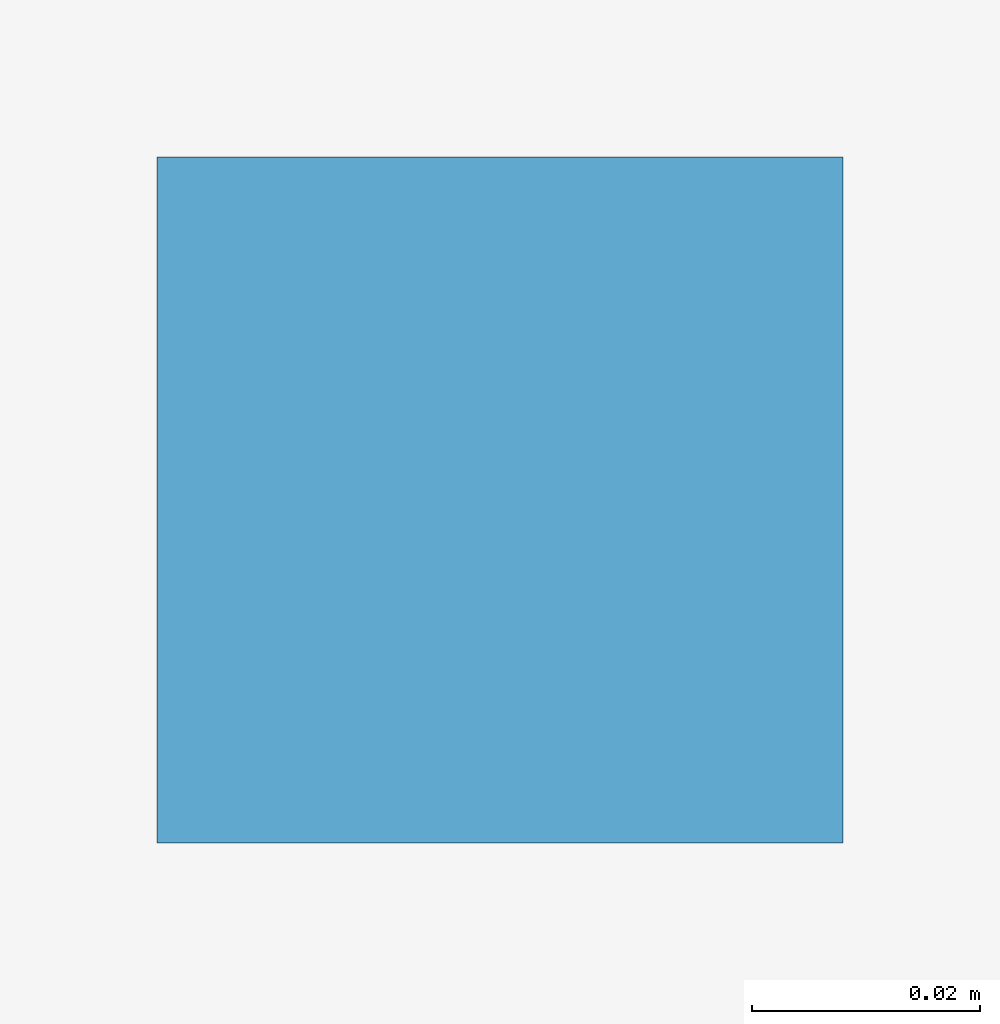
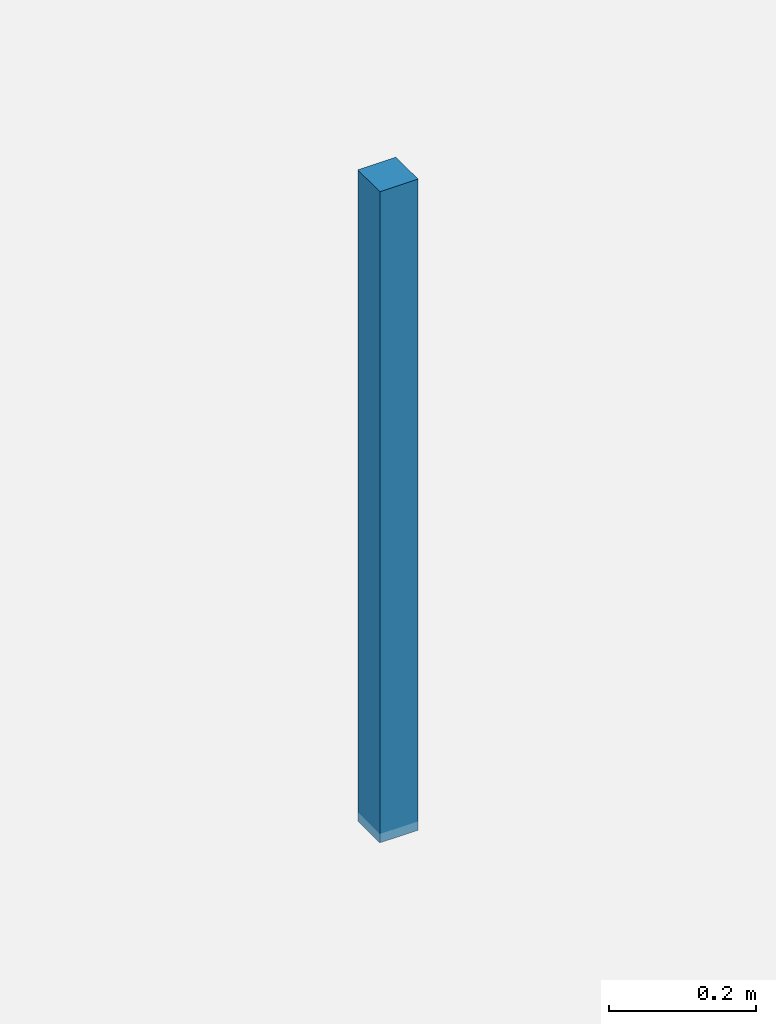
# One storey, part 96 of 107: 1 discrete accessory.
"""IFC4 building model written with IfcOpenShell, lengths in metres."""

import ifcopenshell
import ifcopenshell.guid

model = None  # the IFC model being written
_history = None  # IfcOwnerHistory: only IFC2X3 demands one
_inside = {}  # id of a spatial element -> (the spatial element, [elements in it])
_under = {}  # id of a project, library or spatial element -> (it, [spatial elements below it])
_declared = {}  # id of a project -> (the project, [libraries it declares])
_typed = {}  # id of a type object -> (the type object, [elements of that type])
_made_of = {}  # id of a material, layer set ... -> (it, [elements and type objects made of it])


def new_model(schema):
    """Start an empty IFC model of exactly this schema.

    Asked for "IFC4X3", IfcOpenShell would pick the latest addendum, in which some entities
    have other attributes; the version numbers below select the first issue.
    IFC2X3 requires an IfcOwnerHistory on every rooted entity: one is made here for all.
    """
    global model, _history
    if schema == "IFC4X3":
        model = ifcopenshell.file(schema_version=(4, 3, 0, 0))
    else:
        model = ifcopenshell.file(schema=schema)
    _inside.clear()
    _under.clear()
    _declared.clear()
    _typed.clear()
    _made_of.clear()
    _history = None
    if model.schema == "IFC2X3":
        org = make("IfcOrganization", Name="unknown")
        user = make(
            "IfcPersonAndOrganization",
            ThePerson=make("IfcPerson", FamilyName="unknown"),
            TheOrganization=org,
        )
        app = make(
            "IfcApplication",
            ApplicationDeveloper=org,
            Version="unknown",
            ApplicationFullName="unknown",
            ApplicationIdentifier="unknown",
        )
        _history = make(
            "IfcOwnerHistory",
            OwningUser=user,
            OwningApplication=app,
            ChangeAction="ADDED",
            CreationDate=0,
        )
    return model


def make(cls, **values):
    """One entity of the class cls with the attributes given. An attribute that is None is left unset."""
    return model.create_entity(
        cls, **{name: value for name, value in values.items() if value is not None}
    )


def rooted(cls, **values):
    """An entity with a GlobalId (a new one), such as an element, a storey or a relation."""
    return make(cls, GlobalId=ifcopenshell.guid.new(), OwnerHistory=_history, **values)


def si_unit(unit_type, name, prefix=None):
    """IfcSIUnit, for example si_unit("LENGTHUNIT", "METRE", prefix="MILLI")."""
    return make("IfcSIUnit", UnitType=unit_type, Prefix=prefix, Name=name)


def assignment(units):
    """IfcUnitAssignment: the units of a project."""
    return None if units is None else make("IfcUnitAssignment", Units=units)


def point(xyz):
    """IfcCartesianPoint."""
    return None if xyz is None else make("IfcCartesianPoint", Coordinates=xyz)


def direction(xyz):
    """IfcDirection."""
    return None if xyz is None else make("IfcDirection", DirectionRatios=xyz)


def frame(location, z_axis=None, x_axis=None):
    """IfcAxis2Placement3D, a coordinate frame: its origin and axes. An axis left out is left unset."""
    return make(
        "IfcAxis2Placement3D",
        Location=point(location),
        Axis=direction(z_axis),
        RefDirection=direction(x_axis),
    )


def frame_2d(location, x_axis=None):
    """IfcAxis2Placement2D, a coordinate frame in the plane: its origin and x axis."""
    return make(
        "IfcAxis2Placement2D", Location=point(location), RefDirection=direction(x_axis)
    )


def origin():
    """The frame at (0, 0, 0) with its axes left unset."""
    return frame((0.0, 0.0, 0.0))


def origin_2d():
    """The frame at (0, 0) in the plane with its x axis left unset."""
    return frame_2d((0.0, 0.0))


def place(relative_to, where):
    """IfcLocalPlacement: puts the frame where relative to a parent placement (None: the world)."""
    return make(
        "IfcLocalPlacement", PlacementRelTo=relative_to, RelativePlacement=where
    )


def context(
    kind, dimensions, precision=None, world=None, true_north=None, identifier=None
):
    """IfcGeometricRepresentationContext, for example the 3D "Model" context."""
    return make(
        "IfcGeometricRepresentationContext",
        ContextIdentifier=identifier,
        ContextType=kind,
        CoordinateSpaceDimension=dimensions,
        Precision=precision,
        WorldCoordinateSystem=world,
        TrueNorth=true_north,
    )


def subcontext(parent, identifier, kind, view, scale=None):
    """IfcGeometricRepresentationSubContext, for example "Body" below "Model"."""
    return make(
        "IfcGeometricRepresentationSubContext",
        ContextIdentifier=identifier,
        ContextType=kind,
        ParentContext=parent,
        TargetScale=scale,
        TargetView=view,
    )


def project(units=None, contexts=None):
    """IfcProject with its units and contexts."""
    return rooted(
        "IfcProject",
        Name="project",
        RepresentationContexts=contexts,
        UnitsInContext=assignment(units),
    )


def spatial(cls, under=None, at=None, **own):
    """A site, building, storey or space (cls), placed at a placement, below another one or the project."""
    s = rooted(cls, ObjectPlacement=at, **own)
    if under is not None:
        _under.setdefault(under.id(), (under, []))[1].append(s)
    return s


def profile(cls, at=None, kind="AREA", **sizes):
    """A parametric profile (cls). Its sizes go by their IFC names, for example OverallWidth=200.0."""
    return make(cls, ProfileType=kind, Position=at, **sizes)


def rectangle(**sizes):
    """IfcRectangleProfileDef."""
    return profile("IfcRectangleProfileDef", **sizes)


def extrude(swept, where, along, depth):
    """IfcExtrudedAreaSolid: the profile swept, set in the frame where, extruded along a direction by depth."""
    return make(
        "IfcExtrudedAreaSolid",
        SweptArea=swept,
        Position=where,
        ExtrudedDirection=direction(along),
        Depth=depth,
    )


def shape(context_of_items, identifier, shape_type, items):
    """IfcShapeRepresentation: the items that make up one representation, for example the "Body"."""
    return make(
        "IfcShapeRepresentation",
        ContextOfItems=context_of_items,
        RepresentationIdentifier=identifier,
        RepresentationType=shape_type,
        Items=items,
    )


def material(Name=None, Category=None):
    """IfcMaterial."""
    return make("IfcMaterial", Name=Name, Category=Category)


def made_of(thing, what):
    """Note that an element or type object is made of a material, layer set ...; save() writes the relation."""
    if what is not None:
        _made_of.setdefault(what.id(), (what, []))[1].append(thing)
    return thing


def type_object(cls, material=None, **own):
    """A type object (cls), such as IfcWallType, which elements share."""
    return made_of(rooted(cls, **own), material)


def element(
    cls,
    number,
    at=None,
    inside=None,
    cuts=None,
    type_object=None,
    material=None,
    context=None,
    identifier="Body",
    shape_type=None,
    held_by="IfcProductDefinitionShape",
    body=None,
    shapes=None,
    **own,
):
    """One element of the class cls, such as IfcWall. Its Tag is "e" and its number.

    at: its placement. inside: the storey or other place that contains it. cuts: it is an
    opening in that element (IfcRelVoidsElement). A single representation is given by context,
    identifier, shape_type and body (its items); several are given by shapes. held_by: the class
    of the entity that holds the representations. save() writes the other relations.
    """
    e = rooted(cls, Tag="e%d" % number, ObjectPlacement=at, **own)
    if body is not None:
        shapes = [shape(context, identifier, shape_type, body)]
    if shapes is not None:
        e.Representation = make(held_by, Representations=shapes)
    if inside is not None:
        _inside.setdefault(inside.id(), (inside, []))[1].append(e)
    if cuts is not None:
        rooted(
            "IfcRelVoidsElement", RelatingBuildingElement=cuts, RelatedOpeningElement=e
        )
    if type_object is not None:
        _typed.setdefault(type_object.id(), (type_object, []))[1].append(e)
    return made_of(e, material)


def aggregate(whole, parts):
    """IfcRelAggregates: a whole, such as a stair, and the parts it consists of."""
    return rooted("IfcRelAggregates", RelatingObject=whole, RelatedObjects=parts)


def save(model, path):
    """Write the relations noted so far, then the file.

    IfcRelAggregates (storeys below a building ...), IfcRelContainedInSpatialStructure (elements
    in a storey), IfcRelDefinesByType, IfcRelAssociatesMaterial and IfcRelDeclares: one each for
    every whole, place, type object, material and project.
    """
    for whole, parts in _under.values():
        aggregate(whole, parts)
    for where, things in _inside.values():
        rooted(
            "IfcRelContainedInSpatialStructure",
            RelatedElements=things,
            RelatingStructure=where,
        )
    for kind, things in _typed.values():
        rooted("IfcRelDefinesByType", RelatedObjects=things, RelatingType=kind)
    for what, things in _made_of.values():
        rooted("IfcRelAssociatesMaterial", RelatedObjects=things, RelatingMaterial=what)
    for by, libraries in _declared.values():
        rooted("IfcRelDeclares", RelatingContext=by, RelatedDefinitions=libraries)
    model.write(path)


model = new_model("IFC4")

# Units and contexts
model_context = context("Model", 3, precision=1e-05, world=origin(), true_north=direction((0.0, 1.0)))
body_context = subcontext(model_context, "Body", "Model", "MODEL_VIEW")
ifc_project = project(units=[si_unit("LENGTHUNIT", "METRE"), si_unit("AREAUNIT", "SQUARE_METRE"), si_unit("VOLUMEUNIT", "CUBIC_METRE"), si_unit("PLANEANGLEUNIT", "RADIAN"), si_unit("MASSUNIT", "GRAM", prefix="KILO")], contexts=[model_context])

# Site, building, storey
site_placement = place(None, origin())
site = spatial("IfcSite", under=ifc_project, at=site_placement, CompositionType="ELEMENT")
building_placement = place(site_placement, origin())
building = spatial("IfcBuilding", under=site, at=building_placement, Name="Kangsadwip Square Police Headquarters", CompositionType="ELEMENT")
storey_placement = place(building_placement, frame((0.0, 0.0, 5.39990234375)))
storey = spatial("IfcBuildingStorey", under=building, at=storey_placement, Name="L01", CompositionType="ELEMENT", Elevation=5.39990234375)

# Discrete accessory
ifc_material = material(Name="Structural steel IS 2062 E350 (Grade 350, 350 MPa)", Category="steel")
discrete_accessory_type = type_object("IfcDiscreteAccessoryType", Name="VeilOutriggerBracket", PredefinedType="BRACKET", material=ifc_material)
discrete_accessory_placement = place(storey_placement, frame((118.800048828125, 104.39990234375, 2.81005859375), z_axis=(0.0, 0.0, 1.0), x_axis=(1.0, 0.0, 0.0)))
element("IfcDiscreteAccessory", 1, at=discrete_accessory_placement, inside=storey, type_object=discrete_accessory_type, Name="Ceiling Suspension Hanger L01-042", PredefinedType="BRACKET", context=body_context, shape_type="SweptSolid", body=[
    extrude(rectangle(XDim=0.06005859375, YDim=0.06005859375, at=origin_2d()), origin(), (0.0, 0.0, 1.0), 1.080078125),
])

save(model, "model.ifc")
